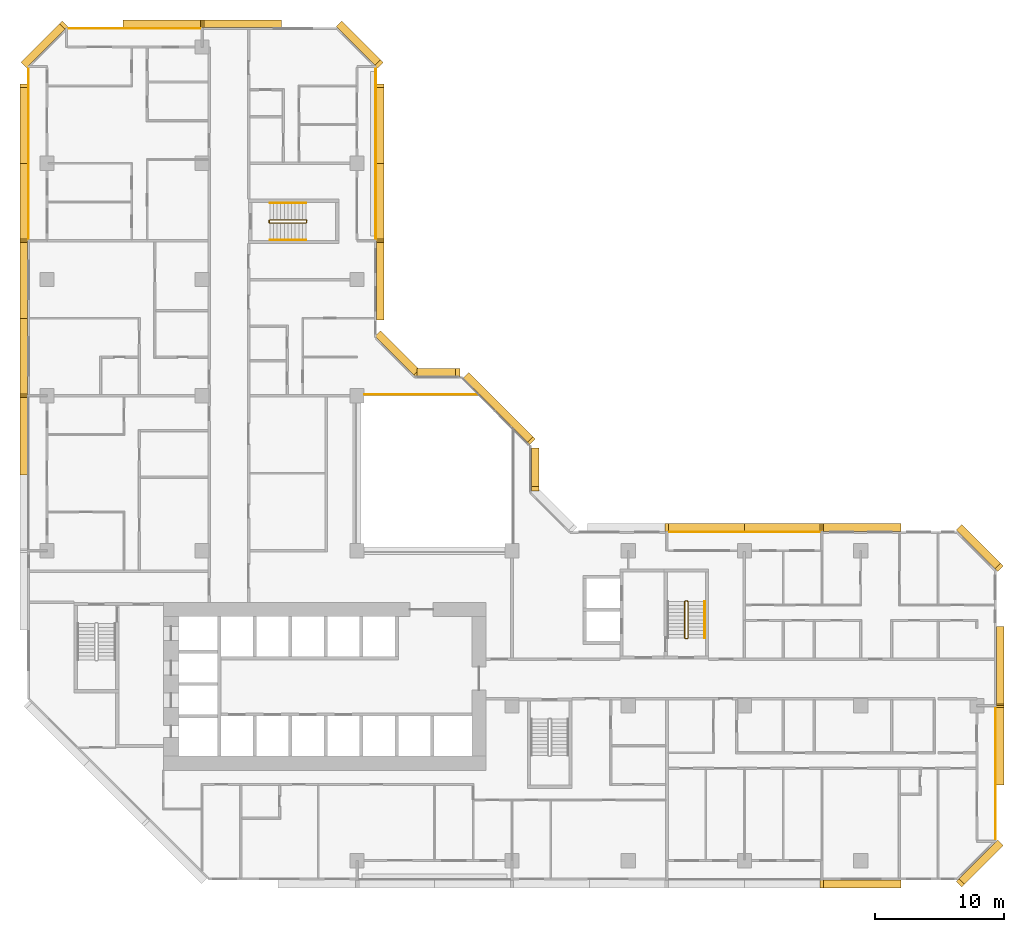
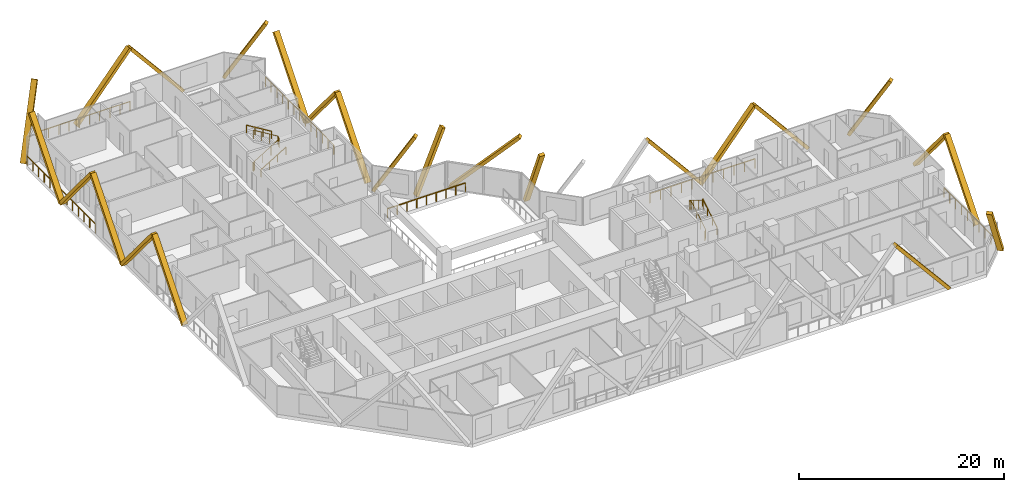
# One storey, part 16 of 16: 24 coverings, 11 railings.
"""IFC4 building model written with IfcOpenShell, lengths in metres."""

from ifc_helpers import new_model, si_unit, direction, frame, origin, origin_2d, place, context, subcontext, project, spatial, rectangle, extrude, material, material_profile, profile_set, type_object, element, save


model = new_model("IFC4")

# Units and contexts
model_context = context("Model", 3, precision=1e-05, world=origin(), true_north=direction((0.0, 1.0)))
body_context = subcontext(model_context, "Body", "Model", "MODEL_VIEW")
ifc_project = project(units=[si_unit("LENGTHUNIT", "METRE"), si_unit("AREAUNIT", "SQUARE_METRE"), si_unit("VOLUMEUNIT", "CUBIC_METRE"), si_unit("PLANEANGLEUNIT", "RADIAN"), si_unit("MASSUNIT", "GRAM", prefix="KILO")], contexts=[model_context])

# Site, building, storey
site_placement = place(None, origin())
site = spatial("IfcSite", under=ifc_project, at=site_placement, CompositionType="ELEMENT")
building_placement = place(site_placement, origin())
building = spatial("IfcBuilding", under=site, at=building_placement, Name="Chenar Terraces", CompositionType="ELEMENT")
storey_placement = place(building_placement, frame((0.0, 0.0, 78.89990234375)))
storey = spatial("IfcBuildingStorey", under=building, at=storey_placement, Name="L17", CompositionType="ELEMENT", Elevation=78.89990234375)

# Railings
ifc_material_1 = material(Name="Powder-coated steel", Category="steel")
railing_type_1 = type_object("IfcRailingType", Name="Guard 1100 steel rail with glass infill", PredefinedType="GUARDRAIL", material=ifc_material_1)
railing_1_placement = place(storey_placement, frame((24.60009765625, 36.10009765625, 0.0)))
element("IfcRailing", 1, at=railing_1_placement, inside=storey, type_object=railing_type_1, Name="Guard L17-2", PredefinedType="GUARDRAIL", context=body_context, shape_type="SweptSolid", body=[
    extrude(rectangle(XDim=0.06005859375, YDim=0.06005859375, at=origin_2d()), frame((0.0, 0.0, 1.070068359375), z_axis=(1.0, 0.0, 0.0), x_axis=(0.0, 1.0, 0.0)), (0.0, 0.0, 1.0), 8.7998046875),
    extrude(rectangle(XDim=0.050048828125, YDim=0.050048828125, at=origin_2d()), origin(), (0.0, 0.0, 1.0), 1.0400390625),
    extrude(rectangle(XDim=0.050048828125, YDim=0.050048828125, at=origin_2d()), frame((1.10009765625, 0.0, 0.0)), (0.0, 0.0, 1.0), 1.0400390625),
    extrude(rectangle(XDim=0.050048828125, YDim=0.050048828125, at=origin_2d()), frame((2.199951171875, 0.0, 0.0)), (0.0, 0.0, 1.0), 1.0400390625),
    extrude(rectangle(XDim=0.050048828125, YDim=0.050048828125, at=origin_2d()), frame((3.2998046875, 0.0, 0.0)), (0.0, 0.0, 1.0), 1.0400390625),
    extrude(rectangle(XDim=0.050048828125, YDim=0.050048828125, at=origin_2d()), frame((4.39990234375, 0.0, 0.0)), (0.0, 0.0, 1.0), 1.0400390625),
    extrude(rectangle(XDim=0.050048828125, YDim=0.050048828125, at=origin_2d()), frame((5.5, 0.0, 0.0)), (0.0, 0.0, 1.0), 1.0400390625),
    extrude(rectangle(XDim=0.050048828125, YDim=0.050048828125, at=origin_2d()), frame((6.599853515625, 0.0, 0.0)), (0.0, 0.0, 1.0), 1.0400390625),
    extrude(rectangle(XDim=0.050048828125, YDim=0.050048828125, at=origin_2d()), frame((7.69970703125, 0.0, 0.0)), (0.0, 0.0, 1.0), 1.0400390625),
    extrude(rectangle(XDim=0.050048828125, YDim=0.050048828125, at=origin_2d()), frame((8.7998046875, 0.0, 0.0)), (0.0, 0.0, 1.0), 1.0400390625),
])
ifc_material_2 = material(Name="Stainless steel and glass", Category="steel")
railing_type_2 = type_object("IfcRailingType", Name="Loggia guard 1150", PredefinedType="GUARDRAIL", material=ifc_material_2)
railing_2_placement = place(storey_placement, frame((25.449951171875, 48.074951171875, 0.0)))
element("IfcRailing", 2, at=railing_2_placement, inside=storey, type_object=railing_type_2, Name="Loggia guard", PredefinedType="GUARDRAIL", context=body_context, shape_type="SweptSolid", body=[
    extrude(rectangle(XDim=0.048095703125, YDim=0.048095703125, at=origin_2d()), frame((0.0, 0.0, 1.1259765625), z_axis=(0.0, 1.0, 0.0), x_axis=(-1.0, 0.0, 0.0)), (0.0, 0.0, 1.0), 13.35009765625),
    extrude(rectangle(XDim=0.0419921875, YDim=0.0419921875, at=origin_2d()), origin(), (0.0, 0.0, 1.0), 1.101806640625),
    extrude(rectangle(XDim=0.0419921875, YDim=0.0419921875, at=origin_2d()), frame((0.0, 1.112548828125, 0.0)), (0.0, 0.0, 1.0), 1.101806640625),
    extrude(rectangle(XDim=0.0419921875, YDim=0.0419921875, at=origin_2d()), frame((0.0, 2.22509765625, 0.0)), (0.0, 0.0, 1.0), 1.101806640625),
    extrude(rectangle(XDim=0.0419921875, YDim=0.0419921875, at=origin_2d()), frame((0.0, 3.33740234375, 0.0)), (0.0, 0.0, 1.0), 1.101806640625),
    extrude(rectangle(XDim=0.0419921875, YDim=0.0419921875, at=origin_2d()), frame((0.0, 4.449951171875, 0.0)), (0.0, 0.0, 1.0), 1.101806640625),
    extrude(rectangle(XDim=0.0419921875, YDim=0.0419921875, at=origin_2d()), frame((0.0, 5.5625, 0.0)), (0.0, 0.0, 1.0), 1.101806640625),
    extrude(rectangle(XDim=0.0419921875, YDim=0.0419921875, at=origin_2d()), frame((0.0, 6.675048828125, 0.0)), (0.0, 0.0, 1.0), 1.101806640625),
    extrude(rectangle(XDim=0.0419921875, YDim=0.0419921875, at=origin_2d()), frame((0.0, 7.78759765625, 0.0)), (0.0, 0.0, 1.0), 1.101806640625),
    extrude(rectangle(XDim=0.0419921875, YDim=0.0419921875, at=origin_2d()), frame((0.0, 8.900146484375, 0.0)), (0.0, 0.0, 1.0), 1.101806640625),
    extrude(rectangle(XDim=0.0419921875, YDim=0.0419921875, at=origin_2d()), frame((0.0, 10.0126953125, 0.0)), (0.0, 0.0, 1.0), 1.101806640625),
    extrude(rectangle(XDim=0.0419921875, YDim=0.0419921875, at=origin_2d()), frame((0.0, 11.125, 0.0)), (0.0, 0.0, 1.0), 1.101806640625),
    extrude(rectangle(XDim=0.0419921875, YDim=0.0419921875, at=origin_2d()), frame((0.0, 12.237548828125, 0.0)), (0.0, 0.0, 1.0), 1.101806640625),
    extrude(rectangle(XDim=0.0419921875, YDim=0.0419921875, at=origin_2d()), frame((0.0, 13.35009765625, 0.0)), (0.0, 0.0, 1.0), 1.101806640625),
])
railing_3_placement = place(storey_placement, frame((73.449951171875, 1.574951171875, 0.0)))
element("IfcRailing", 3, at=railing_3_placement, inside=storey, type_object=railing_type_2, Name="Loggia guard", PredefinedType="GUARDRAIL", context=body_context, shape_type="SweptSolid", body=[
    extrude(rectangle(XDim=0.048095703125, YDim=0.048095703125, at=origin_2d()), frame((0.0, 0.0, 1.1259765625), z_axis=(0.0, 1.0, 0.0), x_axis=(-1.0, 0.0, 0.0)), (0.0, 0.0, 1.0), 10.35009765625),
    extrude(rectangle(XDim=0.0419921875, YDim=0.0419921875, at=origin_2d()), origin(), (0.0, 0.0, 1.0), 1.101806640625),
    extrude(rectangle(XDim=0.0419921875, YDim=0.0419921875, at=origin_2d()), frame((0.0, 1.14990234375, 0.0)), (0.0, 0.0, 1.0), 1.101806640625),
    extrude(rectangle(XDim=0.0419921875, YDim=0.0419921875, at=origin_2d()), frame((0.0, 2.300048828125, 0.0)), (0.0, 0.0, 1.0), 1.101806640625),
    extrude(rectangle(XDim=0.0419921875, YDim=0.0419921875, at=origin_2d()), frame((0.0, 3.449951171875, 0.0)), (0.0, 0.0, 1.0), 1.101806640625),
    extrude(rectangle(XDim=0.0419921875, YDim=0.0419921875, at=origin_2d()), frame((0.0, 4.60009765625, 0.0)), (0.0, 0.0, 1.0), 1.101806640625),
    extrude(rectangle(XDim=0.0419921875, YDim=0.0419921875, at=origin_2d()), frame((0.0, 5.75, 0.0)), (0.0, 0.0, 1.0), 1.101806640625),
    extrude(rectangle(XDim=0.0419921875, YDim=0.0419921875, at=origin_2d()), frame((0.0, 6.900146484375, 0.0)), (0.0, 0.0, 1.0), 1.101806640625),
    extrude(rectangle(XDim=0.0419921875, YDim=0.0419921875, at=origin_2d()), frame((0.0, 8.050048828125, 0.0)), (0.0, 0.0, 1.0), 1.101806640625),
    extrude(rectangle(XDim=0.0419921875, YDim=0.0419921875, at=origin_2d()), frame((0.0, 9.2001953125, 0.0)), (0.0, 0.0, 1.0), 1.101806640625),
    extrude(rectangle(XDim=0.0419921875, YDim=0.0419921875, at=origin_2d()), frame((0.0, 10.35009765625, 0.0)), (0.0, 0.0, 1.0), 1.101806640625),
])
railing_4_placement = place(storey_placement, frame((59.925048828125, 25.449951171875, 0.0)))
element("IfcRailing", 4, at=railing_4_placement, inside=storey, type_object=railing_type_2, Name="Loggia guard", PredefinedType="GUARDRAIL", context=body_context, shape_type="SweptSolid", body=[
    extrude(rectangle(XDim=0.048095703125, YDim=0.048095703125, at=origin_2d()), frame((0.0, 0.0, 1.1259765625), z_axis=(-1.0, 0.0, 0.0), x_axis=(0.0, -1.0, 0.0)), (0.0, 0.0, 1.0), 11.85009765625),
    extrude(rectangle(XDim=0.0419921875, YDim=0.0419921875, at=origin_2d()), origin(), (0.0, 0.0, 1.0), 1.101806640625),
    extrude(rectangle(XDim=0.0419921875, YDim=0.0419921875, at=origin_2d()), frame((-1.18505859375, 0.0, 0.0)), (0.0, 0.0, 1.0), 1.101806640625),
    extrude(rectangle(XDim=0.0419921875, YDim=0.0419921875, at=origin_2d()), frame((-2.3701171875, 0.0, 0.0)), (0.0, 0.0, 1.0), 1.101806640625),
    extrude(rectangle(XDim=0.0419921875, YDim=0.0419921875, at=origin_2d()), frame((-3.554931640625, 0.0, 0.0)), (0.0, 0.0, 1.0), 1.101806640625),
    extrude(rectangle(XDim=0.0419921875, YDim=0.0419921875, at=origin_2d()), frame((-4.739990234375, 0.0, 0.0)), (0.0, 0.0, 1.0), 1.101806640625),
    extrude(rectangle(XDim=0.0419921875, YDim=0.0419921875, at=origin_2d()), frame((-5.925048828125, 0.0, 0.0)), (0.0, 0.0, 1.0), 1.101806640625),
    extrude(rectangle(XDim=0.0419921875, YDim=0.0419921875, at=origin_2d()), frame((-7.110107421875, 0.0, 0.0)), (0.0, 0.0, 1.0), 1.101806640625),
    extrude(rectangle(XDim=0.0419921875, YDim=0.0419921875, at=origin_2d()), frame((-8.295166015625, 0.0, 0.0)), (0.0, 0.0, 1.0), 1.101806640625),
    extrude(rectangle(XDim=0.0419921875, YDim=0.0419921875, at=origin_2d()), frame((-9.47998046875, 0.0, 0.0)), (0.0, 0.0, 1.0), 1.101806640625),
    extrude(rectangle(XDim=0.0419921875, YDim=0.0419921875, at=origin_2d()), frame((-10.6650390625, 0.0, 0.0)), (0.0, 0.0, 1.0), 1.101806640625),
    extrude(rectangle(XDim=0.0419921875, YDim=0.0419921875, at=origin_2d()), frame((-11.85009765625, 0.0, 0.0)), (0.0, 0.0, 1.0), 1.101806640625),
])
railing_5_placement = place(storey_placement, frame((11.925048828125, 64.449951171875, 0.0)))
element("IfcRailing", 5, at=railing_5_placement, inside=storey, type_object=railing_type_2, Name="Loggia guard", PredefinedType="GUARDRAIL", context=body_context, shape_type="SweptSolid", body=[
    extrude(rectangle(XDim=0.048095703125, YDim=0.048095703125, at=origin_2d()), frame((0.0, 0.0, 1.1259765625), z_axis=(-1.0, 0.0, 0.0), x_axis=(0.0, -1.0, 0.0)), (0.0, 0.0, 1.0), 10.35009765625),
    extrude(rectangle(XDim=0.0419921875, YDim=0.0419921875, at=origin_2d()), origin(), (0.0, 0.0, 1.0), 1.101806640625),
    extrude(rectangle(XDim=0.0419921875, YDim=0.0419921875, at=origin_2d()), frame((-1.14990234375, 0.0, 0.0)), (0.0, 0.0, 1.0), 1.101806640625),
    extrude(rectangle(XDim=0.0419921875, YDim=0.0419921875, at=origin_2d()), frame((-2.300048828125, 0.0, 0.0)), (0.0, 0.0, 1.0), 1.101806640625),
    extrude(rectangle(XDim=0.0419921875, YDim=0.0419921875, at=origin_2d()), frame((-3.449951171875, 0.0, 0.0)), (0.0, 0.0, 1.0), 1.101806640625),
    extrude(rectangle(XDim=0.0419921875, YDim=0.0419921875, at=origin_2d()), frame((-4.60009765625, 0.0, 0.0)), (0.0, 0.0, 1.0), 1.101806640625),
    extrude(rectangle(XDim=0.0419921875, YDim=0.0419921875, at=origin_2d()), frame((-5.75, 0.0, 0.0)), (0.0, 0.0, 1.0), 1.101806640625),
    extrude(rectangle(XDim=0.0419921875, YDim=0.0419921875, at=origin_2d()), frame((-6.900146484375, 0.0, 0.0)), (0.0, 0.0, 1.0), 1.101806640625),
    extrude(rectangle(XDim=0.0419921875, YDim=0.0419921875, at=origin_2d()), frame((-8.050048828125, 0.0, 0.0)), (0.0, 0.0, 1.0), 1.101806640625),
    extrude(rectangle(XDim=0.0419921875, YDim=0.0419921875, at=origin_2d()), frame((-9.2001953125, 0.0, 0.0)), (0.0, 0.0, 1.0), 1.101806640625),
    extrude(rectangle(XDim=0.0419921875, YDim=0.0419921875, at=origin_2d()), frame((-10.35009765625, 0.0, 0.0)), (0.0, 0.0, 1.0), 1.101806640625),
])
railing_6_placement = place(storey_placement, frame((-1.449951171875, 61.425048828125, 0.0)))
element("IfcRailing", 6, at=railing_6_placement, inside=storey, type_object=railing_type_2, Name="Loggia guard", PredefinedType="GUARDRAIL", context=body_context, shape_type="SweptSolid", body=[
    extrude(rectangle(XDim=0.048095703125, YDim=0.048095703125, at=origin_2d()), frame((0.0, 0.0, 1.1259765625), z_axis=(0.0, -1.0, 0.0), x_axis=(1.0, 0.0, 0.0)), (0.0, 0.0, 1.0), 13.35009765625),
    extrude(rectangle(XDim=0.0419921875, YDim=0.0419921875, at=origin_2d()), origin(), (0.0, 0.0, 1.0), 1.101806640625),
    extrude(rectangle(XDim=0.0419921875, YDim=0.0419921875, at=origin_2d()), frame((0.0, -1.112548828125, 0.0)), (0.0, 0.0, 1.0), 1.101806640625),
    extrude(rectangle(XDim=0.0419921875, YDim=0.0419921875, at=origin_2d()), frame((0.0, -2.22509765625, 0.0)), (0.0, 0.0, 1.0), 1.101806640625),
    extrude(rectangle(XDim=0.0419921875, YDim=0.0419921875, at=origin_2d()), frame((0.0, -3.33740234375, 0.0)), (0.0, 0.0, 1.0), 1.101806640625),
    extrude(rectangle(XDim=0.0419921875, YDim=0.0419921875, at=origin_2d()), frame((0.0, -4.449951171875, 0.0)), (0.0, 0.0, 1.0), 1.101806640625),
    extrude(rectangle(XDim=0.0419921875, YDim=0.0419921875, at=origin_2d()), frame((0.0, -5.5625, 0.0)), (0.0, 0.0, 1.0), 1.101806640625),
    extrude(rectangle(XDim=0.0419921875, YDim=0.0419921875, at=origin_2d()), frame((0.0, -6.675048828125, 0.0)), (0.0, 0.0, 1.0), 1.101806640625),
    extrude(rectangle(XDim=0.0419921875, YDim=0.0419921875, at=origin_2d()), frame((0.0, -7.78759765625, 0.0)), (0.0, 0.0, 1.0), 1.101806640625),
    extrude(rectangle(XDim=0.0419921875, YDim=0.0419921875, at=origin_2d()), frame((0.0, -8.900146484375, 0.0)), (0.0, 0.0, 1.0), 1.101806640625),
    extrude(rectangle(XDim=0.0419921875, YDim=0.0419921875, at=origin_2d()), frame((0.0, -10.0126953125, 0.0)), (0.0, 0.0, 1.0), 1.101806640625),
    extrude(rectangle(XDim=0.0419921875, YDim=0.0419921875, at=origin_2d()), frame((0.0, -11.125, 0.0)), (0.0, 0.0, 1.0), 1.101806640625),
    extrude(rectangle(XDim=0.0419921875, YDim=0.0419921875, at=origin_2d()), frame((0.0, -12.237548828125, 0.0)), (0.0, 0.0, 1.0), 1.101806640625),
    extrude(rectangle(XDim=0.0419921875, YDim=0.0419921875, at=origin_2d()), frame((0.0, -13.35009765625, 0.0)), (0.0, 0.0, 1.0), 1.101806640625),
])
ifc_material_3 = material(Name="Powder-coated steel", Category="steel")
railing_type_3 = type_object("IfcRailingType", Name="Stair guard 1100", PredefinedType="GUARDRAIL", material=ifc_material_3)
railing_7_placement = place(storey_placement, frame((49.375, 17.25, 3.75)))
element("IfcRailing", 7, at=railing_7_placement, inside=storey, type_object=railing_type_3, Name="L17 ST3 stair guard 1", PredefinedType="GUARDRAIL", context=body_context, shape_type="SweptSolid", body=[
    extrude(rectangle(XDim=0.048095703125, YDim=0.048095703125, at=origin_2d()), frame((0.0, 0.0, 1.076171875), z_axis=(0.0, 0.854202870247, -0.519939858505), x_axis=(-1.0, 0.0, 0.0)), (0.0, 0.0, 1.0), 3.278076171875),
    extrude(rectangle(XDim=0.048095703125, YDim=0.048095703125, at=origin_2d()), frame((0.0, 2.800048828125, -0.62841796875), z_axis=(0.270899902878, 0.270899902878, -0.923702595667), x_axis=(-0.707106781187, 0.707106781187, 0.0)), (0.0, 0.0, 1.0), 0.184814453125),
    extrude(rectangle(XDim=0.048095703125, YDim=0.048095703125, at=origin_2d()), frame((0.050048828125, 2.85009765625, -0.798828125), z_axis=(1.0, 0.0, 0.0), x_axis=(0.0, 1.0, 0.0)), (0.0, 0.0, 1.0), 0.14990234375),
    extrude(rectangle(XDim=0.048095703125, YDim=0.048095703125, at=origin_2d()), frame((0.199951171875, 2.85009765625, -0.798828125), z_axis=(0.707106781187, -0.707106781187, 0.0), x_axis=(0.707106781187, 0.707106781187, 0.0)), (0.0, 0.0, 1.0), 0.07080078125),
    extrude(rectangle(XDim=0.048095703125, YDim=0.048095703125, at=origin_2d()), frame((0.25, 2.800048828125, -0.798828125), z_axis=(0.0, -0.854202870247, -0.519939858505), x_axis=(1.0, 0.0, 0.0)), (0.0, 0.0, 1.0), 3.278076171875),
    extrude(rectangle(XDim=0.048095703125, YDim=0.048095703125, at=origin_2d()), frame((0.25, 0.0, -2.50341796875), z_axis=(-0.270899902878, -0.270899902878, -0.923702595667), x_axis=(0.707106781187, -0.707106781187, 0.0)), (0.0, 0.0, 1.0), 0.184814453125),
    extrude(rectangle(XDim=0.048095703125, YDim=0.048095703125, at=origin_2d()), frame((0.199951171875, -0.050048828125, -2.673828125), z_axis=(-1.0, 0.0, 0.0), x_axis=(0.0, -1.0, 0.0)), (0.0, 0.0, 1.0), 0.14990234375),
    extrude(rectangle(XDim=0.0419921875, YDim=0.0419921875, at=origin_2d()), origin(), (0.0, 0.0, 1.0), 1.052001953125),
    extrude(rectangle(XDim=0.0419921875, YDim=0.0419921875, at=origin_2d()), frame((0.0, 0.933349609375, -0.568115234375)), (0.0, 0.0, 1.0), 1.052001953125),
    extrude(rectangle(XDim=0.0419921875, YDim=0.0419921875, at=origin_2d()), frame((0.0, 1.86669921875, -1.13623046875)), (0.0, 0.0, 1.0), 1.052001953125),
    extrude(rectangle(XDim=0.0419921875, YDim=0.0419921875, at=origin_2d()), frame((0.0, 2.800048828125, -1.704345703125)), (0.0, 0.0, 1.0), 1.052001953125),
    extrude(rectangle(XDim=0.0419921875, YDim=0.0419921875, at=origin_2d()), frame((0.050048828125, 2.85009765625, -1.875)), (0.0, 0.0, 1.0), 1.052001953125),
    extrude(rectangle(XDim=0.0419921875, YDim=0.0419921875, at=origin_2d()), frame((0.199951171875, 2.85009765625, -1.875)), (0.0, 0.0, 1.0), 1.052001953125),
    extrude(rectangle(XDim=0.0419921875, YDim=0.0419921875, at=origin_2d()), frame((0.25, 2.800048828125, -1.875)), (0.0, 0.0, 1.0), 1.052001953125),
    extrude(rectangle(XDim=0.0419921875, YDim=0.0419921875, at=origin_2d()), frame((0.25, 1.86669921875, -2.443115234375)), (0.0, 0.0, 1.0), 1.052001953125),
    extrude(rectangle(XDim=0.0419921875, YDim=0.0419921875, at=origin_2d()), frame((0.25, 0.933349609375, -3.01123046875)), (0.0, 0.0, 1.0), 1.052001953125),
    extrude(rectangle(XDim=0.0419921875, YDim=0.0419921875, at=origin_2d()), frame((0.25, 0.0, -3.579345703125)), (0.0, 0.0, 1.0), 1.052001953125),
    extrude(rectangle(XDim=0.0419921875, YDim=0.0419921875, at=origin_2d()), frame((0.199951171875, -0.050048828125, -3.75)), (0.0, 0.0, 1.0), 1.052001953125),
    extrude(rectangle(XDim=0.0419921875, YDim=0.0419921875, at=origin_2d()), frame((0.050048828125, -0.050048828125, -3.75)), (0.0, 0.0, 1.0), 1.052001953125),
])
railing_8_placement = place(storey_placement, frame((17.25, 49.625, 3.75)))
element("IfcRailing", 8, at=railing_8_placement, inside=storey, type_object=railing_type_3, Name="L17 ST4 stair guard 1", PredefinedType="GUARDRAIL", context=body_context, shape_type="SweptSolid", body=[
    extrude(rectangle(XDim=0.048095703125, YDim=0.048095703125, at=origin_2d()), frame((0.0, 0.0, 1.076171875), z_axis=(0.854202870247, 0.0, -0.519939858505), x_axis=(0.0, 1.0, 0.0)), (0.0, 0.0, 1.0), 3.278076171875),
    extrude(rectangle(XDim=0.048095703125, YDim=0.048095703125, at=origin_2d()), frame((2.800048828125, 0.0, -0.62841796875), z_axis=(0.270899902878, -0.270899902878, -0.923702595667), x_axis=(0.707106781187, 0.707106781187, 0.0)), (0.0, 0.0, 1.0), 0.184814453125),
    extrude(rectangle(XDim=0.048095703125, YDim=0.048095703125, at=origin_2d()), frame((2.85009765625, -0.050048828125, -0.798828125), z_axis=(0.0, -1.0, 0.0), x_axis=(1.0, 0.0, 0.0)), (0.0, 0.0, 1.0), 0.14990234375),
    extrude(rectangle(XDim=0.048095703125, YDim=0.048095703125, at=origin_2d()), frame((2.85009765625, -0.199951171875, -0.798828125), z_axis=(-0.707106781187, -0.707106781187, 0.0), x_axis=(0.707106781187, -0.707106781187, 0.0)), (0.0, 0.0, 1.0), 0.07080078125),
    extrude(rectangle(XDim=0.048095703125, YDim=0.048095703125, at=origin_2d()), frame((2.800048828125, -0.25, -0.798828125), z_axis=(-0.854202870247, 0.0, -0.519939858505), x_axis=(0.0, -1.0, 0.0)), (0.0, 0.0, 1.0), 3.278076171875),
    extrude(rectangle(XDim=0.048095703125, YDim=0.048095703125, at=origin_2d()), frame((0.0, -0.25, -2.50341796875), z_axis=(-0.270899902878, 0.270899902878, -0.923702595667), x_axis=(-0.707106781187, -0.707106781187, 0.0)), (0.0, 0.0, 1.0), 0.184814453125),
    extrude(rectangle(XDim=0.048095703125, YDim=0.048095703125, at=origin_2d()), frame((-0.050048828125, -0.199951171875, -2.673828125), z_axis=(0.0, 1.0, 0.0), x_axis=(-1.0, 0.0, 0.0)), (0.0, 0.0, 1.0), 0.14990234375),
    extrude(rectangle(XDim=0.0419921875, YDim=0.0419921875, at=origin_2d()), origin(), (0.0, 0.0, 1.0), 1.052001953125),
    extrude(rectangle(XDim=0.0419921875, YDim=0.0419921875, at=origin_2d()), frame((0.933349609375, 0.0, -0.568115234375)), (0.0, 0.0, 1.0), 1.052001953125),
    extrude(rectangle(XDim=0.0419921875, YDim=0.0419921875, at=origin_2d()), frame((1.86669921875, 0.0, -1.13623046875)), (0.0, 0.0, 1.0), 1.052001953125),
    extrude(rectangle(XDim=0.0419921875, YDim=0.0419921875, at=origin_2d()), frame((2.800048828125, 0.0, -1.704345703125)), (0.0, 0.0, 1.0), 1.052001953125),
    extrude(rectangle(XDim=0.0419921875, YDim=0.0419921875, at=origin_2d()), frame((2.85009765625, -0.050048828125, -1.875)), (0.0, 0.0, 1.0), 1.052001953125),
    extrude(rectangle(XDim=0.0419921875, YDim=0.0419921875, at=origin_2d()), frame((2.85009765625, -0.199951171875, -1.875)), (0.0, 0.0, 1.0), 1.052001953125),
    extrude(rectangle(XDim=0.0419921875, YDim=0.0419921875, at=origin_2d()), frame((2.800048828125, -0.25, -1.875)), (0.0, 0.0, 1.0), 1.052001953125),
    extrude(rectangle(XDim=0.0419921875, YDim=0.0419921875, at=origin_2d()), frame((1.86669921875, -0.25, -2.443115234375)), (0.0, 0.0, 1.0), 1.052001953125),
    extrude(rectangle(XDim=0.0419921875, YDim=0.0419921875, at=origin_2d()), frame((0.933349609375, -0.25, -3.01123046875)), (0.0, 0.0, 1.0), 1.052001953125),
    extrude(rectangle(XDim=0.0419921875, YDim=0.0419921875, at=origin_2d()), frame((0.0, -0.25, -3.579345703125)), (0.0, 0.0, 1.0), 1.052001953125),
    extrude(rectangle(XDim=0.0419921875, YDim=0.0419921875, at=origin_2d()), frame((-0.050048828125, -0.199951171875, -3.75)), (0.0, 0.0, 1.0), 1.052001953125),
    extrude(rectangle(XDim=0.0419921875, YDim=0.0419921875, at=origin_2d()), frame((-0.050048828125, -0.050048828125, -3.75)), (0.0, 0.0, 1.0), 1.052001953125),
])
ifc_material_4 = material(Name="Powder-coated steel", Category="steel")
railing_type_4 = type_object("IfcRailingType", Name="Stair handrail 900", PredefinedType="HANDRAIL", material=ifc_material_4)
railing_9_placement = place(storey_placement, frame((50.925048828125, 17.25, 0.170654296875)))
element("IfcRailing", 9, at=railing_9_placement, inside=storey, type_object=railing_type_4, Name="L17 ST3 stair handrail 1", PredefinedType="HANDRAIL", context=body_context, shape_type="SweptSolid", body=[
    extrude(rectangle(XDim=0.048095703125, YDim=0.048095703125, at=origin_2d()), frame((0.0, 0.0, 0.8759765625), z_axis=(0.0, 0.854202870247, 0.519939858505), x_axis=(-1.0, 0.0, 0.0)), (0.0, 0.0, 1.0), 3.278076171875),
    extrude(rectangle(XDim=0.0419921875, YDim=0.0419921875, at=origin_2d()), origin(), (0.0, 0.0, 1.0), 0.851806640625),
    extrude(rectangle(XDim=0.0419921875, YDim=0.0419921875, at=origin_2d()), frame((0.0, 0.933349609375, 0.568115234375)), (0.0, 0.0, 1.0), 0.851806640625),
    extrude(rectangle(XDim=0.0419921875, YDim=0.0419921875, at=origin_2d()), frame((0.0, 1.86669921875, 1.13623046875)), (0.0, 0.0, 1.0), 0.851806640625),
    extrude(rectangle(XDim=0.0419921875, YDim=0.0419921875, at=origin_2d()), frame((0.0, 2.800048828125, 1.704345703125)), (0.0, 0.0, 1.0), 0.851806640625),
])
railing_10_placement = place(storey_placement, frame((17.25, 48.074951171875, 0.170654296875)))
element("IfcRailing", 10, at=railing_10_placement, inside=storey, type_object=railing_type_4, Name="L17 ST4 stair handrail 1", PredefinedType="HANDRAIL", context=body_context, shape_type="SweptSolid", body=[
    extrude(rectangle(XDim=0.048095703125, YDim=0.048095703125, at=origin_2d()), frame((0.0, 0.0, 0.8759765625), z_axis=(0.854202870247, 0.0, 0.519939858505), x_axis=(0.0, 1.0, 0.0)), (0.0, 0.0, 1.0), 3.278076171875),
    extrude(rectangle(XDim=0.0419921875, YDim=0.0419921875, at=origin_2d()), origin(), (0.0, 0.0, 1.0), 0.851806640625),
    extrude(rectangle(XDim=0.0419921875, YDim=0.0419921875, at=origin_2d()), frame((0.933349609375, 0.0, 0.568115234375)), (0.0, 0.0, 1.0), 0.851806640625),
    extrude(rectangle(XDim=0.0419921875, YDim=0.0419921875, at=origin_2d()), frame((1.86669921875, 0.0, 1.13623046875)), (0.0, 0.0, 1.0), 0.851806640625),
    extrude(rectangle(XDim=0.0419921875, YDim=0.0419921875, at=origin_2d()), frame((2.800048828125, 0.0, 1.704345703125)), (0.0, 0.0, 1.0), 0.851806640625),
])
railing_11_placement = place(storey_placement, frame((20.050048828125, 50.925048828125, 2.045654296875)))
element("IfcRailing", 11, at=railing_11_placement, inside=storey, type_object=railing_type_4, Name="L17 ST4 stair handrail 2", PredefinedType="HANDRAIL", context=body_context, shape_type="SweptSolid", body=[
    extrude(rectangle(XDim=0.048095703125, YDim=0.048095703125, at=origin_2d()), frame((0.0, 0.0, 0.8759765625), z_axis=(-0.854202870247, 0.0, 0.519939858505), x_axis=(0.0, -1.0, 0.0)), (0.0, 0.0, 1.0), 3.278076171875),
    extrude(rectangle(XDim=0.0419921875, YDim=0.0419921875, at=origin_2d()), origin(), (0.0, 0.0, 1.0), 0.851806640625),
    extrude(rectangle(XDim=0.0419921875, YDim=0.0419921875, at=origin_2d()), frame((-0.933349609375, 0.0, 0.568115234375)), (0.0, 0.0, 1.0), 0.851806640625),
    extrude(rectangle(XDim=0.0419921875, YDim=0.0419921875, at=origin_2d()), frame((-1.86669921875, 0.0, 1.13623046875)), (0.0, 0.0, 1.0), 0.851806640625),
    extrude(rectangle(XDim=0.0419921875, YDim=0.0419921875, at=origin_2d()), frame((-2.800048828125, 0.0, 1.704345703125)), (0.0, 0.0, 1.0), 0.851806640625),
])

# Coverings
ifc_material_5 = material(Name="Terracotta", Category="masonry")
ifc_material_profile = material_profile(ifc_material_5, rectangle(XDim=0.60009765625, YDim=0.35009765625, at=origin_2d()), Name="Terracotta baguette 600 x 350")
ifc_profile_set = profile_set([ifc_material_profile], Name="Terracotta")
covering_type = type_object("IfcCoveringType", Name="Terracotta baguette 600 x 350", PredefinedType="CLADDING", material=ifc_profile_set)
for number, where, z_axis, x_axis, name in (
    (12, (66.0, 25.800048828125, 0.150146484375), (-0.640186961885, 0.0, 0.768219144407), (0.0, -1.0, 0.0), "Terracotta baguette"),
    (13, (60.0, 25.800048828125, 7.35009765625), (-0.640186961885, 0.0, -0.768219144407), (0.0, -1.0, 0.0), "Terracotta baguette"),
    (14, (54.0, 25.800048828125, 0.150146484375), (-0.640186961885, 0.0, 0.768219144407), (0.0, -1.0, 0.0), "Terracotta baguette"),
):
    element("IfcCovering", number, at=place(storey_placement, frame(where, z_axis=z_axis, x_axis=x_axis)), inside=storey, type_object=covering_type, Name=name, PredefinedType="CLADDING", context=body_context, shape_type="SweptSolid", body=[
        extrude(rectangle(XDim=0.60009765625, YDim=0.35009765625, at=origin_2d()), origin(), (0.0, 0.0, 1.0), 9.372314453125),
    ])
covering_1_placement = place(storey_placement, frame((37.800048828125, 28.800048828125, 7.35009765625), z_axis=(0.0, 0.384617607118, -0.923075997031), x_axis=(-1.0, 0.0, 0.0)))
element("IfcCovering", 15, at=covering_1_placement, inside=storey, type_object=covering_type, Name="Terracotta baguette", PredefinedType="CLADDING", context=body_context, shape_type="SweptSolid", body=[
    extrude(rectangle(XDim=0.60009765625, YDim=0.35009765625, at=origin_2d()), origin(), (0.0, 0.0, 1.0), 7.800048828125),
])
covering_2_placement = place(storey_placement, frame((37.5, 32.524169921875, 7.35009765625), z_axis=(-0.494240720479, 0.494240720479, -0.715158877761), x_axis=(-0.707106781187, -0.707106781187, 0.0)))
element("IfcCovering", 16, at=covering_2_placement, inside=storey, type_object=covering_type, Name="Terracotta baguette", PredefinedType="CLADDING", context=body_context, shape_type="SweptSolid", body=[
    extrude(rectangle(XDim=0.60009765625, YDim=0.35009765625, at=origin_2d()), origin(), (0.0, 0.0, 1.0), 10.067626953125),
])
covering_3_placement = place(storey_placement, frame((31.800048828125, 37.800048828125, 7.35009765625), z_axis=(-0.384617607118, 0.0, -0.923075997031), x_axis=(0.0, -1.0, 0.0)))
element("IfcCovering", 17, at=covering_3_placement, inside=storey, type_object=covering_type, Name="Terracotta baguette", PredefinedType="CLADDING", context=body_context, shape_type="SweptSolid", body=[
    extrude(rectangle(XDim=0.60009765625, YDim=0.35009765625, at=origin_2d()), origin(), (0.0, 0.0, 1.0), 7.800048828125),
])
covering_4_placement = place(storey_placement, frame((28.712158203125, 37.712158203125, 7.35009765625), z_axis=(-0.358980886355, 0.358980886355, -0.861548284464), x_axis=(-0.707106781187, -0.707106781187, 0.0)))
element("IfcCovering", 18, at=covering_4_placement, inside=storey, type_object=covering_type, Name="Terracotta baguette", PredefinedType="CLADDING", context=body_context, shape_type="SweptSolid", body=[
    extrude(rectangle(XDim=0.60009765625, YDim=0.35009765625, at=origin_2d()), origin(), (0.0, 0.0, 1.0), 8.35693359375),
])
for number, where, z_axis, x_axis, name in (
    (19, (25.800048828125, 42.0, 0.150146484375), (0.0, 0.640186961885, 0.768219144407), (-1.0, 0.0, 0.0), "Terracotta baguette"),
    (20, (25.800048828125, 48.0, 7.35009765625), (0.0, 0.640186961885, -0.768219144407), (-1.0, 0.0, 0.0), "Terracotta baguette"),
    (21, (25.800048828125, 54.0, 0.150146484375), (0.0, 0.640186961885, 0.768219144407), (-1.0, 0.0, 0.0), "Terracotta baguette"),
):
    element("IfcCovering", number, at=place(storey_placement, frame(where, z_axis=z_axis, x_axis=x_axis)), inside=storey, type_object=covering_type, Name=name, PredefinedType="CLADDING", context=body_context, shape_type="SweptSolid", body=[
        extrude(rectangle(XDim=0.60009765625, YDim=0.35009765625, at=origin_2d()), origin(), (0.0, 0.0, 1.0), 9.372314453125),
    ])
covering_5_placement = place(storey_placement, frame((25.712158203125, 61.712158203125, 7.35009765625), z_axis=(-0.358980886355, 0.358980886355, -0.861548284464), x_axis=(-0.707106781187, -0.707106781187, 0.0)))
element("IfcCovering", 22, at=covering_5_placement, inside=storey, type_object=covering_type, Name="Terracotta baguette", PredefinedType="CLADDING", context=body_context, shape_type="SweptSolid", body=[
    extrude(rectangle(XDim=0.60009765625, YDim=0.35009765625, at=origin_2d()), origin(), (0.0, 0.0, 1.0), 8.35693359375),
])
for number, where, z_axis, x_axis, name in (
    (23, (18.0, 64.800048828125, 0.150146484375), (-0.640186961885, 0.0, 0.768219144407), (0.0, -1.0, 0.0), "Terracotta baguette"),
    (24, (12.0, 64.800048828125, 7.35009765625), (-0.640186961885, 0.0, -0.768219144407), (0.0, -1.0, 0.0), "Terracotta baguette"),
):
    element("IfcCovering", number, at=place(storey_placement, frame(where, z_axis=z_axis, x_axis=x_axis)), inside=storey, type_object=covering_type, Name=name, PredefinedType="CLADDING", context=body_context, shape_type="SweptSolid", body=[
        extrude(rectangle(XDim=0.60009765625, YDim=0.35009765625, at=origin_2d()), origin(), (0.0, 0.0, 1.0), 9.372314453125),
    ])
covering_6_placement = place(storey_placement, frame((1.287841796875, 64.712158203125, 7.35009765625), z_axis=(-0.358980886355, -0.358980886355, -0.861548284464), x_axis=(0.707106781187, -0.707106781187, 0.0)))
element("IfcCovering", 25, at=covering_6_placement, inside=storey, type_object=covering_type, Name="Terracotta baguette", PredefinedType="CLADDING", context=body_context, shape_type="SweptSolid", body=[
    extrude(rectangle(XDim=0.60009765625, YDim=0.35009765625, at=origin_2d()), origin(), (0.0, 0.0, 1.0), 8.35693359375),
])
for number, where, z_axis, x_axis, name in (
    (26, (-1.800048828125, 60.0, 7.35009765625), (0.0, -0.640186961885, -0.768219144407), (1.0, 0.0, 0.0), "Terracotta baguette"),
    (27, (-1.800048828125, 54.0, 0.150146484375), (0.0, -0.640186961885, 0.768219144407), (1.0, 0.0, 0.0), "Terracotta baguette"),
    (28, (-1.800048828125, 48.0, 7.35009765625), (0.0, -0.640186961885, -0.768219144407), (1.0, 0.0, 0.0), "Terracotta baguette"),
    (29, (-1.800048828125, 42.0, 0.150146484375), (0.0, -0.640186961885, 0.768219144407), (1.0, 0.0, 0.0), "Terracotta baguette"),
    (30, (-1.800048828125, 36.0, 7.35009765625), (0.0, -0.640186961885, -0.768219144407), (1.0, 0.0, 0.0), "Terracotta baguette"),
    (31, (60.0, -1.800048828125, 7.35009765625), (0.640186961885, 0.0, -0.768219144407), (0.0, 1.0, 0.0), "Terracotta baguette"),
):
    element("IfcCovering", number, at=place(storey_placement, frame(where, z_axis=z_axis, x_axis=x_axis)), inside=storey, type_object=covering_type, Name=name, PredefinedType="CLADDING", context=body_context, shape_type="SweptSolid", body=[
        extrude(rectangle(XDim=0.60009765625, YDim=0.35009765625, at=origin_2d()), origin(), (0.0, 0.0, 1.0), 9.372314453125),
    ])
covering_7_placement = place(storey_placement, frame((70.712158203125, -1.712158203125, 7.35009765625), z_axis=(0.358980886355, 0.358980886355, -0.861548284464), x_axis=(-0.707106781187, 0.707106781187, 0.0)))
element("IfcCovering", 32, at=covering_7_placement, inside=storey, type_object=covering_type, Name="Terracotta baguette", PredefinedType="CLADDING", context=body_context, shape_type="SweptSolid", body=[
    extrude(rectangle(XDim=0.60009765625, YDim=0.35009765625, at=origin_2d()), origin(), (0.0, 0.0, 1.0), 8.35693359375),
])
for number, where, z_axis, x_axis, name in (
    (33, (73.800048828125, 6.0, 0.150146484375), (0.0, 0.640186961885, 0.768219144407), (-1.0, 0.0, 0.0), "Terracotta baguette"),
    (34, (73.800048828125, 12.0, 7.35009765625), (0.0, 0.640186961885, -0.768219144407), (-1.0, 0.0, 0.0), "Terracotta baguette"),
):
    element("IfcCovering", number, at=place(storey_placement, frame(where, z_axis=z_axis, x_axis=x_axis)), inside=storey, type_object=covering_type, Name=name, PredefinedType="CLADDING", context=body_context, shape_type="SweptSolid", body=[
        extrude(rectangle(XDim=0.60009765625, YDim=0.35009765625, at=origin_2d()), origin(), (0.0, 0.0, 1.0), 9.372314453125),
    ])
covering_8_placement = place(storey_placement, frame((73.712158203125, 22.712158203125, 7.35009765625), z_axis=(-0.358980886355, 0.358980886355, -0.861548284464), x_axis=(-0.707106781187, -0.707106781187, 0.0)))
element("IfcCovering", 35, at=covering_8_placement, inside=storey, type_object=covering_type, Name="Terracotta baguette", PredefinedType="CLADDING", context=body_context, shape_type="SweptSolid", body=[
    extrude(rectangle(XDim=0.60009765625, YDim=0.35009765625, at=origin_2d()), origin(), (0.0, 0.0, 1.0), 8.35693359375),
])

save(model, "model.ifc")
